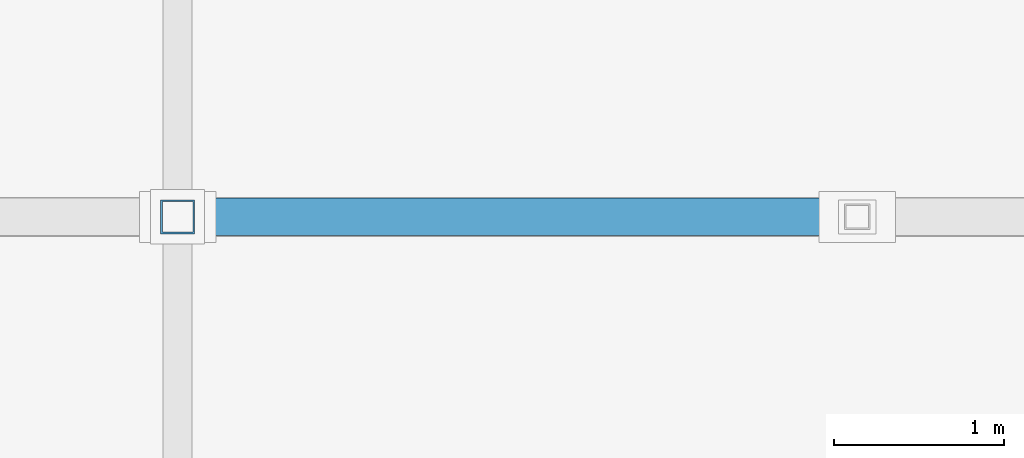
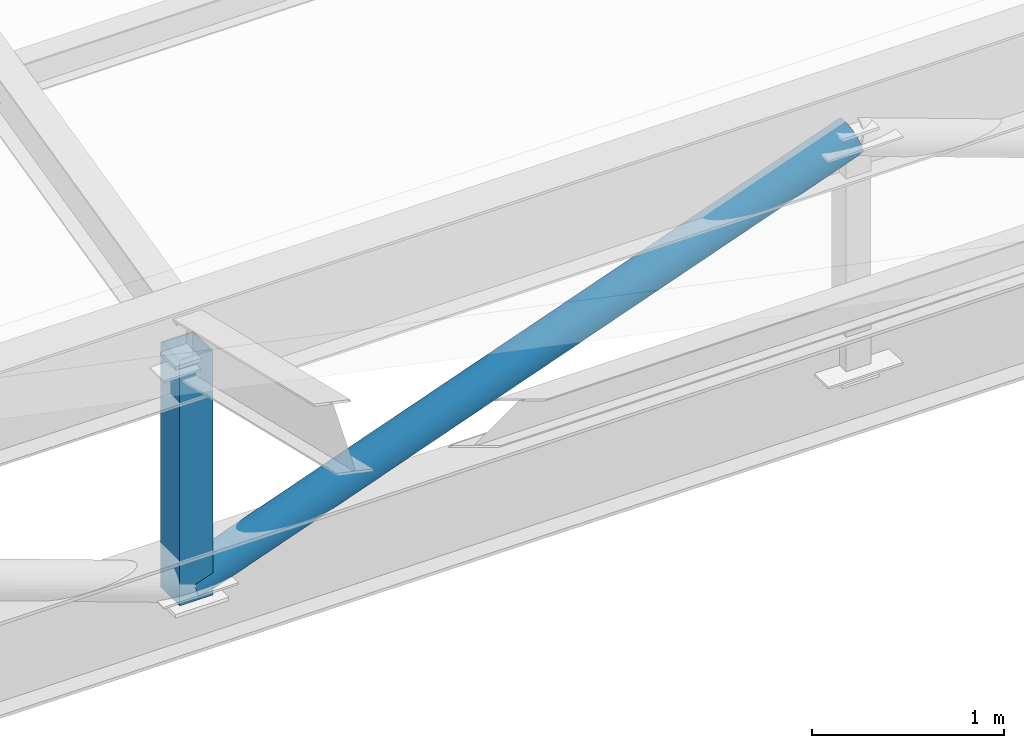
# One storey, part 54 of 112: 2 members.
"""IFC4 building model written with IfcOpenShell, lengths in metres."""

from ifc_helpers import new_model, si_unit, direction, frame, origin, origin_2d, place, context, subcontext, project, spatial, hollow_rectangle, hollow_circle, extrude, material, material_profile, profile_set, type_object, element, save


model = new_model("IFC4")

# Units and contexts
model_context = context("Model", 3, precision=1e-05, world=origin(), true_north=direction((0.0, 1.0)))
body_context = subcontext(model_context, "Body", "Model", "MODEL_VIEW")
ifc_project = project(units=[si_unit("LENGTHUNIT", "METRE"), si_unit("AREAUNIT", "SQUARE_METRE"), si_unit("VOLUMEUNIT", "CUBIC_METRE"), si_unit("PLANEANGLEUNIT", "RADIAN"), si_unit("MASSUNIT", "GRAM", prefix="KILO")], contexts=[model_context])

# Site, building, storey
site_placement = place(None, origin())
site = spatial("IfcSite", under=ifc_project, at=site_placement, CompositionType="ELEMENT")
building_placement = place(site_placement, origin())
building = spatial("IfcBuilding", under=site, at=building_placement, Name="Celadon Cloister-Ring School", CompositionType="ELEMENT")
storey_placement = place(building_placement, frame((0.0, 0.0, 8.5)))
storey = spatial("IfcBuildingStorey", under=building, at=storey_placement, Name="L02", CompositionType="ELEMENT", Elevation=8.5)

# Members
ifc_material_1 = material(Name="Structural steel S355JR", Category="steel")
ifc_material_profile_1 = material_profile(ifc_material_1, hollow_rectangle(XDim=0.199951171875, YDim=0.199951171875, WallThickness=0.010009765625, at=origin_2d()), Name="HSS200X200X10")
ifc_profile_set_1 = profile_set([ifc_material_profile_1], Name="Structural steel S355JR")
member_type_1 = type_object("IfcMemberType", Name="MB-03", PredefinedType="BRACE", material=ifc_profile_set_1)
member_1_placement = place(storey_placement, frame((158.0, 98.0, 0.919921875), z_axis=(0.0, 0.0, 1.0), x_axis=(1.0, 0.0, 0.0)))
element("IfcMember", 1, at=member_1_placement, inside=storey, type_object=member_type_1, Name="Structural Member 0458", PredefinedType="BRACE", context=body_context, shape_type="SweptSolid", body=[
    extrude(hollow_rectangle(XDim=0.199951171875, YDim=0.199951171875, WallThickness=0.010009765625, at=origin_2d()), origin(), (0.0, 0.0, 1.0), 1.56005859375),
])
ifc_material_2 = material(Name="Structural steel S355JR", Category="steel")
ifc_material_profile_2 = material_profile(ifc_material_2, hollow_circle(Radius=0.109619140625, WallThickness=0.010009765625, at=origin_2d()), Name="CHS219.1X10")
ifc_profile_set_2 = profile_set([ifc_material_profile_2], Name="Structural steel S355JR")
member_type_2 = type_object("IfcMemberType", Name="MB-08", PredefinedType="BRACE", material=ifc_profile_set_2)
member_2_placement = place(storey_placement, frame((158.0, 98.0, 0.97998046875), z_axis=(0.94089180426, 0.0, 0.338707266939), x_axis=(0.0, 1.0, 0.0)))
element("IfcMember", 2, at=member_2_placement, inside=storey, type_object=member_type_2, Name="Structural Member 0465", PredefinedType="BRACE", context=body_context, shape_type="SweptSolid", body=[
    extrude(hollow_circle(Radius=0.109619140625, WallThickness=0.010009765625, at=origin_2d()), origin(), (0.0, 0.0, 1.0), 4.251220703125),
])

save(model, "model.ifc")
